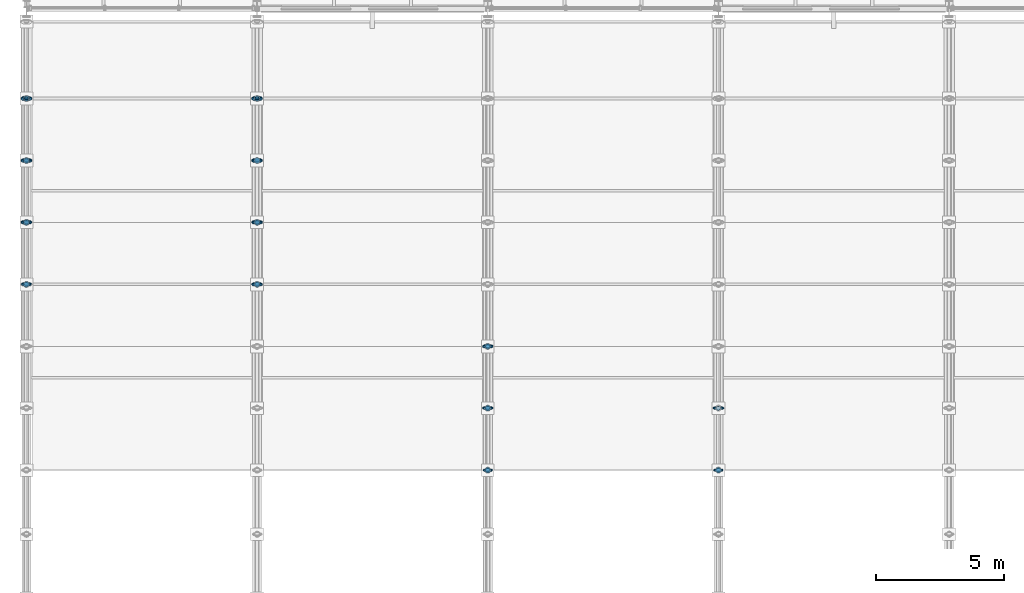
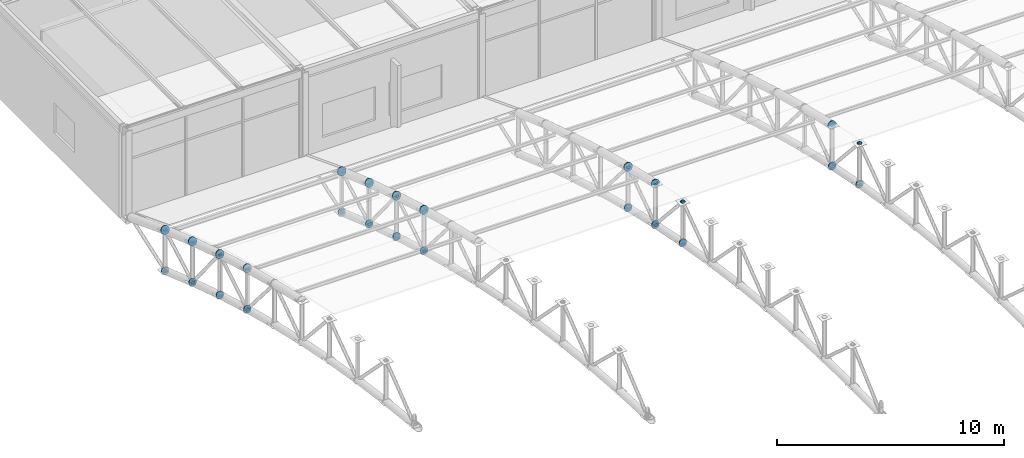
# One storey, part 131 of 195: 92 discrete accessories.
"""IFC4 building model written with IfcOpenShell, lengths in metres."""

from ifc_helpers import new_model, si_unit, direction, frame, origin, origin_2d, place, context, subcontext, project, spatial, circle, extrude, material, element, save


model = new_model("IFC4")

# Units and contexts
model_context = context("Model", 3, precision=1e-05, world=origin(), true_north=direction((0.0, 1.0)))
body_context = subcontext(model_context, "Body", "Model", "MODEL_VIEW")
ifc_project = project(units=[si_unit("LENGTHUNIT", "METRE"), si_unit("AREAUNIT", "SQUARE_METRE"), si_unit("VOLUMEUNIT", "CUBIC_METRE"), si_unit("PLANEANGLEUNIT", "RADIAN"), si_unit("MASSUNIT", "GRAM", prefix="KILO")], contexts=[model_context])

# Site, building, storey
site_placement = place(None, origin())
site = spatial("IfcSite", under=ifc_project, at=site_placement, CompositionType="ELEMENT")
building_placement = place(site_placement, origin())
building = spatial("IfcBuilding", under=site, at=building_placement, Name="Marlcrest Central Station", CompositionType="ELEMENT")
storey_placement = place(building_placement, frame((0.0, 0.0, 9.800048828125)))
storey = spatial("IfcBuildingStorey", under=building, at=storey_placement, Name="L02", CompositionType="ELEMENT", Elevation=9.800048828125)

# Discrete accessories
ifc_material = material(Name="Steel S355", Category="steel")
discrete_accessory_1_placement = place(storey_placement, frame((0.0, 88.225830078125, 1.734375), z_axis=(0.0, 0.967563345928, -0.252628524946), x_axis=(-1.0, 0.0, 0.0)))
element("IfcDiscreteAccessory", 1, at=discrete_accessory_1_placement, inside=storey, material=ifc_material, Name="endcap-mem-AC-02-L02-00144-e", ObjectType="END_CAP_PLATE", PredefinedType="BRACKET", context=body_context, shape_type="SweptSolid", body=[
    extrude(circle(Radius=0.185791015625, at=origin_2d()), origin(), (0.0, 0.0, 1.0), 0.0400390625),
])
discrete_accessory_2_placement = place(storey_placement, frame((0.0, 88.233642578125, 1.7470703125), z_axis=(0.0, 0.649624779144, -0.760254987699), x_axis=(-1.0, 0.0, 0.0)))
element("IfcDiscreteAccessory", 2, at=discrete_accessory_2_placement, inside=storey, material=ifc_material, Name="endcap-mem-AD-01-L02-00146-e", ObjectType="END_CAP_PLATE", PredefinedType="BRACKET", context=body_context, shape_type="SweptSolid", body=[
    extrude(circle(Radius=0.092041015625, at=origin_2d()), origin(), (0.0, 0.0, 1.0), 0.0400390625),
])
for number, where, z_axis, x_axis, name in (
    (3, (0.0, 88.235595703125, 3.93212890625), (0.0, 0.960130083362, -0.27955361386), (-1.0, 0.0, 0.0), "endcap-mem-AC-01-L02-00147-s"),
    (4, (0.0, 90.64599609375, 3.23046875), (0.0, 0.960130083362, -0.27955361386), (-1.0, 0.0, 0.0), "endcap-mem-AC-01-L02-00147-e"),
):
    element("IfcDiscreteAccessory", number, at=place(storey_placement, frame(where, z_axis=z_axis, x_axis=x_axis)), inside=storey, material=ifc_material, Name=name, ObjectType="END_CAP_PLATE", PredefinedType="BRACKET", context=body_context, shape_type="SweptSolid", body=[
        extrude(circle(Radius=0.211181640625, at=origin_2d()), origin(), (0.0, 0.0, 1.0), 0.0400390625),
    ])
for number, where, z_axis, x_axis, name in (
    (5, (0.0, 88.235595703125, 1.732177734375), (0.0, 0.960130083362, -0.27955361386), (-1.0, 0.0, 0.0), "endcap-mem-AC-02-L02-00148-s"),
    (6, (0.0, 90.64599609375, 1.030517578125), (0.0, 0.960130083362, -0.27955361386), (-1.0, 0.0, 0.0), "endcap-mem-AC-02-L02-00148-e"),
):
    element("IfcDiscreteAccessory", number, at=place(storey_placement, frame(where, z_axis=z_axis, x_axis=x_axis)), inside=storey, material=ifc_material, Name=name, ObjectType="END_CAP_PLATE", PredefinedType="BRACKET", context=body_context, shape_type="SweptSolid", body=[
        extrude(circle(Radius=0.185791015625, at=origin_2d()), origin(), (0.0, 0.0, 1.0), 0.0400390625),
    ])
for number, where, z_axis, x_axis, name in (
    (7, (0.0, 88.25, 1.713134765625), (0.0, 0.0, 1.0), (1.0, 0.0, 0.0), "endcap-mem-AP-01-L02-00149-s"),
    (8, (0.0, 88.25, 3.903076171875), (0.0, 0.0, 1.0), (1.0, 0.0, 0.0), "endcap-mem-AP-01-L02-00149-e"),
):
    element("IfcDiscreteAccessory", number, at=place(storey_placement, frame(where, z_axis=z_axis, x_axis=x_axis)), inside=storey, material=ifc_material, Name=name, ObjectType="END_CAP_PLATE", PredefinedType="BRACKET", context=body_context, shape_type="SweptSolid", body=[
        extrude(circle(Radius=0.117431640625, at=origin_2d()), origin(), (0.0, 0.0, 1.0), 0.0400390625),
    ])
for number, where, z_axis, x_axis, name in (
    (9, (0.0, 88.2373046875, 1.72021484375), (0.0, 0.850687380038, 0.525671933286), (-1.0, 0.0, 0.0), "endcap-mem-AD-01-L02-00150-s"),
    (10, (0.0, 90.648681640625, 3.210205078125), (0.0, 0.850687380038, 0.525671933286), (-1.0, 0.0, 0.0), "endcap-mem-AD-01-L02-00150-e"),
):
    element("IfcDiscreteAccessory", number, at=place(storey_placement, frame(where, z_axis=z_axis, x_axis=x_axis)), inside=storey, material=ifc_material, Name=name, ObjectType="END_CAP_PLATE", PredefinedType="BRACKET", context=body_context, shape_type="SweptSolid", body=[
        extrude(circle(Radius=0.092041015625, at=origin_2d()), origin(), (0.0, 0.0, 1.0), 0.0400390625),
    ])
for number, where, z_axis, x_axis, name in (
    (11, (0.0, 90.65576171875, 3.22802734375), (0.0, 0.952116828449, -0.305734435391), (-1.0, 0.0, 0.0), "endcap-mem-AC-01-L02-00151-s"),
    (12, (0.0, 93.056396484375, 2.45703125), (0.0, 0.952116828449, -0.305734435391), (-1.0, 0.0, 0.0), "endcap-mem-AC-01-L02-00151-e"),
):
    element("IfcDiscreteAccessory", number, at=place(storey_placement, frame(where, z_axis=z_axis, x_axis=x_axis)), inside=storey, material=ifc_material, Name=name, ObjectType="END_CAP_PLATE", PredefinedType="BRACKET", context=body_context, shape_type="SweptSolid", body=[
        extrude(circle(Radius=0.211181640625, at=origin_2d()), origin(), (0.0, 0.0, 1.0), 0.0400390625),
    ])
for number, where, z_axis, x_axis, name in (
    (13, (0.0, 90.65576171875, 1.028076171875), (0.0, 0.952116828449, -0.305734435391), (-1.0, 0.0, 0.0), "endcap-mem-AC-02-L02-00152-s"),
    (14, (0.0, 93.056396484375, 0.257080078125), (0.0, 0.952116828449, -0.305734435391), (-1.0, 0.0, 0.0), "endcap-mem-AC-02-L02-00152-e"),
):
    element("IfcDiscreteAccessory", number, at=place(storey_placement, frame(where, z_axis=z_axis, x_axis=x_axis)), inside=storey, material=ifc_material, Name=name, ObjectType="END_CAP_PLATE", PredefinedType="BRACKET", context=body_context, shape_type="SweptSolid", body=[
        extrude(circle(Radius=0.185791015625, at=origin_2d()), origin(), (0.0, 0.0, 1.0), 0.0400390625),
    ])
for number, where, z_axis, x_axis, name in (
    (15, (0.0, 90.669921875, 1.008544921875), (0.0, 0.0, 1.0), (1.0, 0.0, 0.0), "endcap-mem-AP-01-L02-00153-s"),
    (16, (0.0, 90.669921875, 3.198486328125), (0.0, 0.0, 1.0), (1.0, 0.0, 0.0), "endcap-mem-AP-01-L02-00153-e"),
):
    element("IfcDiscreteAccessory", number, at=place(storey_placement, frame(where, z_axis=z_axis, x_axis=x_axis)), inside=storey, material=ifc_material, Name=name, ObjectType="END_CAP_PLATE", PredefinedType="BRACKET", context=body_context, shape_type="SweptSolid", body=[
        extrude(circle(Radius=0.117431640625, at=origin_2d()), origin(), (0.0, 0.0, 1.0), 0.0400390625),
    ])
for number, where, z_axis, x_axis, name in (
    (17, (0.0, 90.660400390625, 3.235107421875), (0.0, 0.62962929743, -0.776895712318), (-1.0, 0.0, 0.0), "endcap-mem-AD-01-L02-00154-s"),
    (18, (0.0, 93.064453125, 0.26904296875), (0.0, 0.62962929743, -0.776895712318), (-1.0, 0.0, 0.0), "endcap-mem-AD-01-L02-00154-e"),
):
    element("IfcDiscreteAccessory", number, at=place(storey_placement, frame(where, z_axis=z_axis, x_axis=x_axis)), inside=storey, material=ifc_material, Name=name, ObjectType="END_CAP_PLATE", PredefinedType="BRACKET", context=body_context, shape_type="SweptSolid", body=[
        extrude(circle(Radius=0.092041015625, at=origin_2d()), origin(), (0.0, 0.0, 1.0), 0.0400390625),
    ])
for number, where, z_axis, x_axis, name in (
    (19, (0.0, 93.06591796875, 2.454345703125), (0.0, 0.94353735649, -0.331266142109), (-1.0, 0.0, 0.0), "endcap-mem-AC-01-L02-00155-s"),
    (20, (0.0, 95.476318359375, 1.608154296875), (0.0, 0.94353735649, -0.331266142109), (-1.0, 0.0, 0.0), "endcap-mem-AC-01-L02-00155-e"),
):
    element("IfcDiscreteAccessory", number, at=place(storey_placement, frame(where, z_axis=z_axis, x_axis=x_axis)), inside=storey, material=ifc_material, Name=name, ObjectType="END_CAP_PLATE", PredefinedType="BRACKET", context=body_context, shape_type="SweptSolid", body=[
        extrude(circle(Radius=0.211181640625, at=origin_2d()), origin(), (0.0, 0.0, 1.0), 0.0400390625),
    ])
for number, where, z_axis, x_axis, name in (
    (21, (0.0, 93.06591796875, 0.25439453125), (0.0, 0.94353735649, -0.331266142109), (-1.0, 0.0, 0.0), "endcap-mem-AC-02-L02-00156-s"),
    (22, (0.0, 95.476318359375, -0.591796875), (0.0, 0.94353735649, -0.331266142109), (-1.0, 0.0, 0.0), "endcap-mem-AC-02-L02-00156-e"),
):
    element("IfcDiscreteAccessory", number, at=place(storey_placement, frame(where, z_axis=z_axis, x_axis=x_axis)), inside=storey, material=ifc_material, Name=name, ObjectType="END_CAP_PLATE", PredefinedType="BRACKET", context=body_context, shape_type="SweptSolid", body=[
        extrude(circle(Radius=0.185791015625, at=origin_2d()), origin(), (0.0, 0.0, 1.0), 0.0400390625),
    ])
for number, where, z_axis, x_axis, name in (
    (23, (0.0, 93.080078125, 0.234619140625), (0.0, 0.0, 1.0), (1.0, 0.0, 0.0), "endcap-mem-AP-01-L02-00157-s"),
    (24, (0.0, 93.080078125, 2.424560546875), (0.0, 0.0, 1.0), (1.0, 0.0, 0.0), "endcap-mem-AP-01-L02-00157-e"),
):
    element("IfcDiscreteAccessory", number, at=place(storey_placement, frame(where, z_axis=z_axis, x_axis=x_axis)), inside=storey, material=ifc_material, Name=name, ObjectType="END_CAP_PLATE", PredefinedType="BRACKET", context=body_context, shape_type="SweptSolid", body=[
        extrude(circle(Radius=0.117431640625, at=origin_2d()), origin(), (0.0, 0.0, 1.0), 0.0400390625),
    ])
for number, where, z_axis, x_axis, name in (
    (25, (0.0, 93.06689453125, 0.2421875), (0.0, 0.873245653167, 0.487280236851), (-1.0, 0.0, 0.0), "endcap-mem-AD-01-L02-00158-s"),
    (26, (0.0, 95.478271484375, 1.587646484375), (0.0, 0.873245653167, 0.487280236851), (-1.0, 0.0, 0.0), "endcap-mem-AD-01-L02-00158-e"),
):
    element("IfcDiscreteAccessory", number, at=place(storey_placement, frame(where, z_axis=z_axis, x_axis=x_axis)), inside=storey, material=ifc_material, Name=name, ObjectType="END_CAP_PLATE", PredefinedType="BRACKET", context=body_context, shape_type="SweptSolid", body=[
        extrude(circle(Radius=0.092041015625, at=origin_2d()), origin(), (0.0, 0.0, 1.0), 0.0400390625),
    ])
discrete_accessory_3_placement = place(storey_placement, frame((0.0, 95.486083984375, 1.605224609375), z_axis=(0.0, 0.933324071143, -0.359035065453), x_axis=(-1.0, 0.0, 0.0)))
element("IfcDiscreteAccessory", 27, at=discrete_accessory_3_placement, inside=storey, material=ifc_material, Name="endcap-mem-AC-01-L02-00159-s", ObjectType="END_CAP_PLATE", PredefinedType="BRACKET", context=body_context, shape_type="SweptSolid", body=[
    extrude(circle(Radius=0.211181640625, at=origin_2d()), origin(), (0.0, 0.0, 1.0), 0.0400390625),
])
for number, where, z_axis, x_axis, name in (
    (28, (0.0, 95.5, -0.614990234375), (0.0, 0.0, 1.0), (1.0, 0.0, 0.0), "endcap-mem-AP-01-L02-00160-s"),
    (29, (0.0, 95.5, 1.574951171875), (0.0, 0.0, 1.0), (1.0, 0.0, 0.0), "endcap-mem-AP-01-L02-00160-e"),
):
    element("IfcDiscreteAccessory", number, at=place(storey_placement, frame(where, z_axis=z_axis, x_axis=x_axis)), inside=storey, material=ifc_material, Name=name, ObjectType="END_CAP_PLATE", PredefinedType="BRACKET", context=body_context, shape_type="SweptSolid", body=[
        extrude(circle(Radius=0.117431640625, at=origin_2d()), origin(), (0.0, 0.0, 1.0), 0.0400390625),
    ])
discrete_accessory_4_placement = place(storey_placement, frame((0.0, 95.48583984375, -0.60498046875), z_axis=(0.0, 0.944260188635, 0.329200085296), x_axis=(-1.0, 0.0, 0.0)))
element("IfcDiscreteAccessory", 30, at=discrete_accessory_4_placement, inside=storey, material=ifc_material, Name="endcap-mem-AD-01-L02-00161-s", ObjectType="END_CAP_PLATE", PredefinedType="BRACKET", context=body_context, shape_type="SweptSolid", body=[
    extrude(circle(Radius=0.092041015625, at=origin_2d()), origin(), (0.0, 0.0, 1.0), 0.0400390625),
])
discrete_accessory_5_placement = place(storey_placement, frame((9.0, 88.225830078125, 3.934326171875), z_axis=(0.0, 0.967539481681, -0.252719906989), x_axis=(-1.0, 0.0, 0.0)))
element("IfcDiscreteAccessory", 31, at=discrete_accessory_5_placement, inside=storey, material=ifc_material, Name="endcap-mem-AC-01-L02-00259-e", ObjectType="END_CAP_PLATE", PredefinedType="BRACKET", context=body_context, shape_type="SweptSolid", body=[
    extrude(circle(Radius=0.211181640625, at=origin_2d()), origin(), (0.0, 0.0, 1.0), 0.0400390625),
])
discrete_accessory_6_placement = place(storey_placement, frame((9.0, 88.225830078125, 1.734375), z_axis=(0.0, 0.967563345928, -0.252628524946), x_axis=(-1.0, 0.0, 0.0)))
element("IfcDiscreteAccessory", 32, at=discrete_accessory_6_placement, inside=storey, material=ifc_material, Name="endcap-mem-AC-02-L02-00260-e", ObjectType="END_CAP_PLATE", PredefinedType="BRACKET", context=body_context, shape_type="SweptSolid", body=[
    extrude(circle(Radius=0.185791015625, at=origin_2d()), origin(), (0.0, 0.0, 1.0), 0.0400390625),
])
discrete_accessory_7_placement = place(storey_placement, frame((9.0, 88.233642578125, 1.7470703125), z_axis=(0.0, 0.649624779144, -0.760254987699), x_axis=(-1.0, 0.0, 0.0)))
element("IfcDiscreteAccessory", 33, at=discrete_accessory_7_placement, inside=storey, material=ifc_material, Name="endcap-mem-AD-01-L02-00262-e", ObjectType="END_CAP_PLATE", PredefinedType="BRACKET", context=body_context, shape_type="SweptSolid", body=[
    extrude(circle(Radius=0.092041015625, at=origin_2d()), origin(), (0.0, 0.0, 1.0), 0.0400390625),
])
for number, where, z_axis, x_axis, name in (
    (34, (9.0, 88.235595703125, 3.93212890625), (0.0, 0.960130083362, -0.27955361386), (-1.0, 0.0, 0.0), "endcap-mem-AC-01-L02-00263-s"),
    (35, (9.0, 90.64599609375, 3.23046875), (0.0, 0.960130083362, -0.27955361386), (-1.0, 0.0, 0.0), "endcap-mem-AC-01-L02-00263-e"),
):
    element("IfcDiscreteAccessory", number, at=place(storey_placement, frame(where, z_axis=z_axis, x_axis=x_axis)), inside=storey, material=ifc_material, Name=name, ObjectType="END_CAP_PLATE", PredefinedType="BRACKET", context=body_context, shape_type="SweptSolid", body=[
        extrude(circle(Radius=0.211181640625, at=origin_2d()), origin(), (0.0, 0.0, 1.0), 0.0400390625),
    ])
for number, where, z_axis, x_axis, name in (
    (36, (9.0, 88.235595703125, 1.732177734375), (0.0, 0.960130083362, -0.27955361386), (-1.0, 0.0, 0.0), "endcap-mem-AC-02-L02-00264-s"),
    (37, (9.0, 90.64599609375, 1.030517578125), (0.0, 0.960130083362, -0.27955361386), (-1.0, 0.0, 0.0), "endcap-mem-AC-02-L02-00264-e"),
):
    element("IfcDiscreteAccessory", number, at=place(storey_placement, frame(where, z_axis=z_axis, x_axis=x_axis)), inside=storey, material=ifc_material, Name=name, ObjectType="END_CAP_PLATE", PredefinedType="BRACKET", context=body_context, shape_type="SweptSolid", body=[
        extrude(circle(Radius=0.185791015625, at=origin_2d()), origin(), (0.0, 0.0, 1.0), 0.0400390625),
    ])
for number, where, z_axis, x_axis, name in (
    (38, (9.0, 88.25, 1.713134765625), (0.0, 0.0, 1.0), (1.0, 0.0, 0.0), "endcap-mem-AP-01-L02-00265-s"),
    (39, (9.0, 88.25, 3.903076171875), (0.0, 0.0, 1.0), (1.0, 0.0, 0.0), "endcap-mem-AP-01-L02-00265-e"),
):
    element("IfcDiscreteAccessory", number, at=place(storey_placement, frame(where, z_axis=z_axis, x_axis=x_axis)), inside=storey, material=ifc_material, Name=name, ObjectType="END_CAP_PLATE", PredefinedType="BRACKET", context=body_context, shape_type="SweptSolid", body=[
        extrude(circle(Radius=0.117431640625, at=origin_2d()), origin(), (0.0, 0.0, 1.0), 0.0400390625),
    ])
for number, where, z_axis, x_axis, name in (
    (40, (9.0, 88.2373046875, 1.72021484375), (0.0, 0.850687380038, 0.525671933286), (-1.0, 0.0, 0.0), "endcap-mem-AD-01-L02-00266-s"),
    (41, (9.0, 90.648681640625, 3.210205078125), (0.0, 0.850687380038, 0.525671933286), (-1.0, 0.0, 0.0), "endcap-mem-AD-01-L02-00266-e"),
):
    element("IfcDiscreteAccessory", number, at=place(storey_placement, frame(where, z_axis=z_axis, x_axis=x_axis)), inside=storey, material=ifc_material, Name=name, ObjectType="END_CAP_PLATE", PredefinedType="BRACKET", context=body_context, shape_type="SweptSolid", body=[
        extrude(circle(Radius=0.092041015625, at=origin_2d()), origin(), (0.0, 0.0, 1.0), 0.0400390625),
    ])
for number, where, z_axis, x_axis, name in (
    (42, (9.0, 90.65576171875, 3.22802734375), (0.0, 0.952116828449, -0.305734435391), (-1.0, 0.0, 0.0), "endcap-mem-AC-01-L02-00267-s"),
    (43, (9.0, 93.056396484375, 2.45703125), (0.0, 0.952116828449, -0.305734435391), (-1.0, 0.0, 0.0), "endcap-mem-AC-01-L02-00267-e"),
):
    element("IfcDiscreteAccessory", number, at=place(storey_placement, frame(where, z_axis=z_axis, x_axis=x_axis)), inside=storey, material=ifc_material, Name=name, ObjectType="END_CAP_PLATE", PredefinedType="BRACKET", context=body_context, shape_type="SweptSolid", body=[
        extrude(circle(Radius=0.211181640625, at=origin_2d()), origin(), (0.0, 0.0, 1.0), 0.0400390625),
    ])
for number, where, z_axis, x_axis, name in (
    (44, (9.0, 90.65576171875, 1.028076171875), (0.0, 0.952116828449, -0.305734435391), (-1.0, 0.0, 0.0), "endcap-mem-AC-02-L02-00268-s"),
    (45, (9.0, 93.056396484375, 0.257080078125), (0.0, 0.952116828449, -0.305734435391), (-1.0, 0.0, 0.0), "endcap-mem-AC-02-L02-00268-e"),
):
    element("IfcDiscreteAccessory", number, at=place(storey_placement, frame(where, z_axis=z_axis, x_axis=x_axis)), inside=storey, material=ifc_material, Name=name, ObjectType="END_CAP_PLATE", PredefinedType="BRACKET", context=body_context, shape_type="SweptSolid", body=[
        extrude(circle(Radius=0.185791015625, at=origin_2d()), origin(), (0.0, 0.0, 1.0), 0.0400390625),
    ])
for number, where, z_axis, x_axis, name in (
    (46, (9.0, 90.669921875, 1.008544921875), (0.0, 0.0, 1.0), (1.0, 0.0, 0.0), "endcap-mem-AP-01-L02-00269-s"),
    (47, (9.0, 90.669921875, 3.198486328125), (0.0, 0.0, 1.0), (1.0, 0.0, 0.0), "endcap-mem-AP-01-L02-00269-e"),
):
    element("IfcDiscreteAccessory", number, at=place(storey_placement, frame(where, z_axis=z_axis, x_axis=x_axis)), inside=storey, material=ifc_material, Name=name, ObjectType="END_CAP_PLATE", PredefinedType="BRACKET", context=body_context, shape_type="SweptSolid", body=[
        extrude(circle(Radius=0.117431640625, at=origin_2d()), origin(), (0.0, 0.0, 1.0), 0.0400390625),
    ])
for number, where, z_axis, x_axis, name in (
    (48, (9.0, 90.660400390625, 3.235107421875), (0.0, 0.62962929743, -0.776895712318), (-1.0, 0.0, 0.0), "endcap-mem-AD-01-L02-00270-s"),
    (49, (9.0, 93.064453125, 0.26904296875), (0.0, 0.62962929743, -0.776895712318), (-1.0, 0.0, 0.0), "endcap-mem-AD-01-L02-00270-e"),
):
    element("IfcDiscreteAccessory", number, at=place(storey_placement, frame(where, z_axis=z_axis, x_axis=x_axis)), inside=storey, material=ifc_material, Name=name, ObjectType="END_CAP_PLATE", PredefinedType="BRACKET", context=body_context, shape_type="SweptSolid", body=[
        extrude(circle(Radius=0.092041015625, at=origin_2d()), origin(), (0.0, 0.0, 1.0), 0.0400390625),
    ])
for number, where, z_axis, x_axis, name in (
    (50, (9.0, 93.06591796875, 2.454345703125), (0.0, 0.94353735649, -0.331266142109), (-1.0, 0.0, 0.0), "endcap-mem-AC-01-L02-00271-s"),
    (51, (9.0, 95.476318359375, 1.608154296875), (0.0, 0.94353735649, -0.331266142109), (-1.0, 0.0, 0.0), "endcap-mem-AC-01-L02-00271-e"),
):
    element("IfcDiscreteAccessory", number, at=place(storey_placement, frame(where, z_axis=z_axis, x_axis=x_axis)), inside=storey, material=ifc_material, Name=name, ObjectType="END_CAP_PLATE", PredefinedType="BRACKET", context=body_context, shape_type="SweptSolid", body=[
        extrude(circle(Radius=0.211181640625, at=origin_2d()), origin(), (0.0, 0.0, 1.0), 0.0400390625),
    ])
for number, where, z_axis, x_axis, name in (
    (52, (9.0, 93.06591796875, 0.25439453125), (0.0, 0.94353735649, -0.331266142109), (-1.0, 0.0, 0.0), "endcap-mem-AC-02-L02-00272-s"),
    (53, (9.0, 95.476318359375, -0.591796875), (0.0, 0.94353735649, -0.331266142109), (-1.0, 0.0, 0.0), "endcap-mem-AC-02-L02-00272-e"),
):
    element("IfcDiscreteAccessory", number, at=place(storey_placement, frame(where, z_axis=z_axis, x_axis=x_axis)), inside=storey, material=ifc_material, Name=name, ObjectType="END_CAP_PLATE", PredefinedType="BRACKET", context=body_context, shape_type="SweptSolid", body=[
        extrude(circle(Radius=0.185791015625, at=origin_2d()), origin(), (0.0, 0.0, 1.0), 0.0400390625),
    ])
for number, where, z_axis, x_axis, name in (
    (54, (9.0, 93.080078125, 0.234619140625), (0.0, 0.0, 1.0), (1.0, 0.0, 0.0), "endcap-mem-AP-01-L02-00273-s"),
    (55, (9.0, 93.080078125, 2.424560546875), (0.0, 0.0, 1.0), (1.0, 0.0, 0.0), "endcap-mem-AP-01-L02-00273-e"),
):
    element("IfcDiscreteAccessory", number, at=place(storey_placement, frame(where, z_axis=z_axis, x_axis=x_axis)), inside=storey, material=ifc_material, Name=name, ObjectType="END_CAP_PLATE", PredefinedType="BRACKET", context=body_context, shape_type="SweptSolid", body=[
        extrude(circle(Radius=0.117431640625, at=origin_2d()), origin(), (0.0, 0.0, 1.0), 0.0400390625),
    ])
for number, where, z_axis, x_axis, name in (
    (56, (9.0, 93.06689453125, 0.2421875), (0.0, 0.873245653167, 0.487280236851), (-1.0, 0.0, 0.0), "endcap-mem-AD-01-L02-00274-s"),
    (57, (9.0, 95.478271484375, 1.587646484375), (0.0, 0.873245653167, 0.487280236851), (-1.0, 0.0, 0.0), "endcap-mem-AD-01-L02-00274-e"),
):
    element("IfcDiscreteAccessory", number, at=place(storey_placement, frame(where, z_axis=z_axis, x_axis=x_axis)), inside=storey, material=ifc_material, Name=name, ObjectType="END_CAP_PLATE", PredefinedType="BRACKET", context=body_context, shape_type="SweptSolid", body=[
        extrude(circle(Radius=0.092041015625, at=origin_2d()), origin(), (0.0, 0.0, 1.0), 0.0400390625),
    ])
discrete_accessory_8_placement = place(storey_placement, frame((9.0, 95.486083984375, 1.605224609375), z_axis=(0.0, 0.933324071143, -0.359035065453), x_axis=(-1.0, 0.0, 0.0)))
element("IfcDiscreteAccessory", 58, at=discrete_accessory_8_placement, inside=storey, material=ifc_material, Name="endcap-mem-AC-01-L02-00275-s", ObjectType="END_CAP_PLATE", PredefinedType="BRACKET", context=body_context, shape_type="SweptSolid", body=[
    extrude(circle(Radius=0.211181640625, at=origin_2d()), origin(), (0.0, 0.0, 1.0), 0.0400390625),
])
for number, where, z_axis, x_axis, name in (
    (59, (9.0, 95.5, -0.614990234375), (0.0, 0.0, 1.0), (1.0, 0.0, 0.0), "endcap-mem-AP-01-L02-00276-s"),
    (60, (9.0, 95.5, 1.574951171875), (0.0, 0.0, 1.0), (1.0, 0.0, 0.0), "endcap-mem-AP-01-L02-00276-e"),
):
    element("IfcDiscreteAccessory", number, at=place(storey_placement, frame(where, z_axis=z_axis, x_axis=x_axis)), inside=storey, material=ifc_material, Name=name, ObjectType="END_CAP_PLATE", PredefinedType="BRACKET", context=body_context, shape_type="SweptSolid", body=[
        extrude(circle(Radius=0.117431640625, at=origin_2d()), origin(), (0.0, 0.0, 1.0), 0.0400390625),
    ])
discrete_accessory_9_placement = place(storey_placement, frame((9.0, 95.48583984375, -0.60498046875), z_axis=(0.0, 0.944260188635, 0.329200085296), x_axis=(-1.0, 0.0, 0.0)))
element("IfcDiscreteAccessory", 61, at=discrete_accessory_9_placement, inside=storey, material=ifc_material, Name="endcap-mem-AD-01-L02-00277-s", ObjectType="END_CAP_PLATE", PredefinedType="BRACKET", context=body_context, shape_type="SweptSolid", body=[
    extrude(circle(Radius=0.092041015625, at=origin_2d()), origin(), (0.0, 0.0, 1.0), 0.0400390625),
])
discrete_accessory_10_placement = place(storey_placement, frame((18.0, 80.975341796875, 3.407958984375), z_axis=(0.0, 0.98574109921, -0.168269086076), x_axis=(-1.0, 0.0, 0.0)))
element("IfcDiscreteAccessory", 62, at=discrete_accessory_10_placement, inside=storey, material=ifc_material, Name="endcap-mem-AC-02-L02-00364-e", ObjectType="END_CAP_PLATE", PredefinedType="BRACKET", context=body_context, shape_type="SweptSolid", body=[
    extrude(circle(Radius=0.185791015625, at=origin_2d()), origin(), (0.0, 0.0, 1.0), 0.0400390625),
])
discrete_accessory_11_placement = place(storey_placement, frame((18.0, 80.9794921875, 5.58935546875), z_axis=(0.0, 0.815661132754, 0.57852996164), x_axis=(-1.0, 0.0, 0.0)))
element("IfcDiscreteAccessory", 63, at=discrete_accessory_11_placement, inside=storey, material=ifc_material, Name="endcap-mem-AD-01-L02-00366-e", ObjectType="END_CAP_PLATE", PredefinedType="BRACKET", context=body_context, shape_type="SweptSolid", body=[
    extrude(circle(Radius=0.092041015625, at=origin_2d()), origin(), (0.0, 0.0, 1.0), 0.0400390625),
])
for number, where, z_axis, x_axis, name in (
    (64, (18.0, 80.9853515625, 3.40673828125), (0.0, 0.980359417961, -0.197219196874), (-1.0, 0.0, 0.0), "endcap-mem-AC-02-L02-00368-s"),
    (65, (18.0, 83.3955078125, 2.921875), (0.0, 0.980359417961, -0.197219196874), (-1.0, 0.0, 0.0), "endcap-mem-AC-02-L02-00368-e"),
):
    element("IfcDiscreteAccessory", number, at=place(storey_placement, frame(where, z_axis=z_axis, x_axis=x_axis)), inside=storey, material=ifc_material, Name=name, ObjectType="END_CAP_PLATE", PredefinedType="BRACKET", context=body_context, shape_type="SweptSolid", body=[
        extrude(circle(Radius=0.185791015625, at=origin_2d()), origin(), (0.0, 0.0, 1.0), 0.0400390625),
    ])
for number, where, z_axis, x_axis, name in (
    (66, (18.0, 81.0, 3.388916015625), (0.0, 0.0, 1.0), (1.0, 0.0, 0.0), "endcap-mem-AP-01-L02-00369-s"),
    (67, (18.0, 81.0, 5.578857421875), (0.0, 0.0, 1.0), (1.0, 0.0, 0.0), "endcap-mem-AP-01-L02-00369-e"),
):
    element("IfcDiscreteAccessory", number, at=place(storey_placement, frame(where, z_axis=z_axis, x_axis=x_axis)), inside=storey, material=ifc_material, Name=name, ObjectType="END_CAP_PLATE", PredefinedType="BRACKET", context=body_context, shape_type="SweptSolid", body=[
        extrude(circle(Radius=0.117431640625, at=origin_2d()), origin(), (0.0, 0.0, 1.0), 0.0400390625),
    ])
for number, where, z_axis, x_axis, name in (
    (68, (18.0, 80.989990234375, 5.614990234375), (0.0, 0.669244457479, -0.743042297675), (-1.0, 0.0, 0.0), "endcap-mem-AD-01-L02-00370-s"),
    (69, (18.0, 83.403076171875, 2.935546875), (0.0, 0.669244457479, -0.743042297675), (-1.0, 0.0, 0.0), "endcap-mem-AD-01-L02-00370-e"),
):
    element("IfcDiscreteAccessory", number, at=place(storey_placement, frame(where, z_axis=z_axis, x_axis=x_axis)), inside=storey, material=ifc_material, Name=name, ObjectType="END_CAP_PLATE", PredefinedType="BRACKET", context=body_context, shape_type="SweptSolid", body=[
        extrude(circle(Radius=0.092041015625, at=origin_2d()), origin(), (0.0, 0.0, 1.0), 0.0400390625),
    ])
for number, where, z_axis, x_axis, name in (
    (70, (18.0, 83.4052734375, 5.120361328125), (0.0, 0.974329612642, -0.225126200004), (-1.0, 0.0, 0.0), "endcap-mem-AC-01-L02-00371-s"),
    (71, (18.0, 85.8056640625, 4.565673828125), (0.0, 0.974329612642, -0.225126200004), (-1.0, 0.0, 0.0), "endcap-mem-AC-01-L02-00371-e"),
):
    element("IfcDiscreteAccessory", number, at=place(storey_placement, frame(where, z_axis=z_axis, x_axis=x_axis)), inside=storey, material=ifc_material, Name=name, ObjectType="END_CAP_PLATE", PredefinedType="BRACKET", context=body_context, shape_type="SweptSolid", body=[
        extrude(circle(Radius=0.211181640625, at=origin_2d()), origin(), (0.0, 0.0, 1.0), 0.0400390625),
    ])
for number, where, z_axis, x_axis, name in (
    (72, (18.0, 83.4052734375, 2.92041015625), (0.0, 0.974307959875, -0.225219891049), (-1.0, 0.0, 0.0), "endcap-mem-AC-02-L02-00372-s"),
    (73, (18.0, 85.8056640625, 2.365478515625), (0.0, 0.974307959875, -0.225219891049), (-1.0, 0.0, 0.0), "endcap-mem-AC-02-L02-00372-e"),
):
    element("IfcDiscreteAccessory", number, at=place(storey_placement, frame(where, z_axis=z_axis, x_axis=x_axis)), inside=storey, material=ifc_material, Name=name, ObjectType="END_CAP_PLATE", PredefinedType="BRACKET", context=body_context, shape_type="SweptSolid", body=[
        extrude(circle(Radius=0.185791015625, at=origin_2d()), origin(), (0.0, 0.0, 1.0), 0.0400390625),
    ])
for number, where, z_axis, x_axis, name in (
    (74, (18.0, 83.419921875, 2.902099609375), (0.0, 0.0, 1.0), (1.0, 0.0, 0.0), "endcap-mem-AP-01-L02-00373-s"),
    (75, (18.0, 83.419921875, 5.092041015625), (0.0, 0.0, 1.0), (1.0, 0.0, 0.0), "endcap-mem-AP-01-L02-00373-e"),
):
    element("IfcDiscreteAccessory", number, at=place(storey_placement, frame(where, z_axis=z_axis, x_axis=x_axis)), inside=storey, material=ifc_material, Name=name, ObjectType="END_CAP_PLATE", PredefinedType="BRACKET", context=body_context, shape_type="SweptSolid", body=[
        extrude(circle(Radius=0.117431640625, at=origin_2d()), origin(), (0.0, 0.0, 1.0), 0.0400390625),
    ])
for number, where, z_axis, x_axis, name in (
    (76, (18.0, 83.407470703125, 2.908447265625), (0.0, 0.82626275624, 0.563284881432), (-1.0, 0.0, 0.0), "endcap-mem-AD-01-L02-00374-s"),
    (77, (18.0, 85.809326171875, 4.5458984375), (0.0, 0.82626275624, 0.563284881432), (-1.0, 0.0, 0.0), "endcap-mem-AD-01-L02-00374-e"),
):
    element("IfcDiscreteAccessory", number, at=place(storey_placement, frame(where, z_axis=z_axis, x_axis=x_axis)), inside=storey, material=ifc_material, Name=name, ObjectType="END_CAP_PLATE", PredefinedType="BRACKET", context=body_context, shape_type="SweptSolid", body=[
        extrude(circle(Radius=0.092041015625, at=origin_2d()), origin(), (0.0, 0.0, 1.0), 0.0400390625),
    ])
discrete_accessory_12_placement = place(storey_placement, frame((18.0, 85.815673828125, 4.56396484375), z_axis=(0.0, 0.967539481681, -0.252719906989), x_axis=(-1.0, 0.0, 0.0)))
element("IfcDiscreteAccessory", 78, at=discrete_accessory_12_placement, inside=storey, material=ifc_material, Name="endcap-mem-AC-01-L02-00375-s", ObjectType="END_CAP_PLATE", PredefinedType="BRACKET", context=body_context, shape_type="SweptSolid", body=[
    extrude(circle(Radius=0.211181640625, at=origin_2d()), origin(), (0.0, 0.0, 1.0), 0.0400390625),
])
discrete_accessory_13_placement = place(storey_placement, frame((18.0, 85.815673828125, 2.36376953125), z_axis=(0.0, 0.967563345928, -0.252628524946), x_axis=(-1.0, 0.0, 0.0)))
element("IfcDiscreteAccessory", 79, at=discrete_accessory_13_placement, inside=storey, material=ifc_material, Name="endcap-mem-AC-02-L02-00376-s", ObjectType="END_CAP_PLATE", PredefinedType="BRACKET", context=body_context, shape_type="SweptSolid", body=[
    extrude(circle(Radius=0.185791015625, at=origin_2d()), origin(), (0.0, 0.0, 1.0), 0.0400390625),
])
for number, where, z_axis, x_axis, name in (
    (80, (18.0, 85.830078125, 2.344970703125), (0.0, 0.0, 1.0), (1.0, 0.0, 0.0), "endcap-mem-AP-01-L02-00377-s"),
    (81, (18.0, 85.830078125, 4.53515625), (0.0, 0.0, 1.0), (1.0, 0.0, 0.0), "endcap-mem-AP-01-L02-00377-e"),
):
    element("IfcDiscreteAccessory", number, at=place(storey_placement, frame(where, z_axis=z_axis, x_axis=x_axis)), inside=storey, material=ifc_material, Name=name, ObjectType="END_CAP_PLATE", PredefinedType="BRACKET", context=body_context, shape_type="SweptSolid", body=[
        extrude(circle(Radius=0.117431640625, at=origin_2d()), origin(), (0.0, 0.0, 1.0), 0.0400390625),
    ])
discrete_accessory_14_placement = place(storey_placement, frame((18.0, 85.8203125, 4.571533203125), z_axis=(0.0, 0.649624779144, -0.760254987699), x_axis=(-1.0, 0.0, 0.0)))
element("IfcDiscreteAccessory", 82, at=discrete_accessory_14_placement, inside=storey, material=ifc_material, Name="endcap-mem-AD-01-L02-00378-s", ObjectType="END_CAP_PLATE", PredefinedType="BRACKET", context=body_context, shape_type="SweptSolid", body=[
    extrude(circle(Radius=0.092041015625, at=origin_2d()), origin(), (0.0, 0.0, 1.0), 0.0400390625),
])
discrete_accessory_15_placement = place(storey_placement, frame((27.0, 80.975341796875, 3.407958984375), z_axis=(0.0, 0.98574109921, -0.168269086076), x_axis=(-1.0, 0.0, 0.0)))
element("IfcDiscreteAccessory", 83, at=discrete_accessory_15_placement, inside=storey, material=ifc_material, Name="endcap-mem-AC-02-L02-00480-e", ObjectType="END_CAP_PLATE", PredefinedType="BRACKET", context=body_context, shape_type="SweptSolid", body=[
    extrude(circle(Radius=0.185791015625, at=origin_2d()), origin(), (0.0, 0.0, 1.0), 0.0400390625),
])
discrete_accessory_16_placement = place(storey_placement, frame((27.0, 80.9794921875, 5.58935546875), z_axis=(0.0, 0.815661132754, 0.57852996164), x_axis=(-1.0, 0.0, 0.0)))
element("IfcDiscreteAccessory", 84, at=discrete_accessory_16_placement, inside=storey, material=ifc_material, Name="endcap-mem-AD-01-L02-00482-e", ObjectType="END_CAP_PLATE", PredefinedType="BRACKET", context=body_context, shape_type="SweptSolid", body=[
    extrude(circle(Radius=0.092041015625, at=origin_2d()), origin(), (0.0, 0.0, 1.0), 0.0400390625),
])
for number, where, z_axis, x_axis, name in (
    (85, (27.0, 80.9853515625, 3.40673828125), (0.0, 0.980359417961, -0.197219196874), (-1.0, 0.0, 0.0), "endcap-mem-AC-02-L02-00484-s"),
    (86, (27.0, 83.3955078125, 2.921875), (0.0, 0.980359417961, -0.197219196874), (-1.0, 0.0, 0.0), "endcap-mem-AC-02-L02-00484-e"),
):
    element("IfcDiscreteAccessory", number, at=place(storey_placement, frame(where, z_axis=z_axis, x_axis=x_axis)), inside=storey, material=ifc_material, Name=name, ObjectType="END_CAP_PLATE", PredefinedType="BRACKET", context=body_context, shape_type="SweptSolid", body=[
        extrude(circle(Radius=0.185791015625, at=origin_2d()), origin(), (0.0, 0.0, 1.0), 0.0400390625),
    ])
for number, where, z_axis, x_axis, name in (
    (87, (27.0, 81.0, 3.388916015625), (0.0, 0.0, 1.0), (1.0, 0.0, 0.0), "endcap-mem-AP-01-L02-00485-s"),
    (88, (27.0, 81.0, 5.578857421875), (0.0, 0.0, 1.0), (1.0, 0.0, 0.0), "endcap-mem-AP-01-L02-00485-e"),
):
    element("IfcDiscreteAccessory", number, at=place(storey_placement, frame(where, z_axis=z_axis, x_axis=x_axis)), inside=storey, material=ifc_material, Name=name, ObjectType="END_CAP_PLATE", PredefinedType="BRACKET", context=body_context, shape_type="SweptSolid", body=[
        extrude(circle(Radius=0.117431640625, at=origin_2d()), origin(), (0.0, 0.0, 1.0), 0.0400390625),
    ])
for number, where, z_axis, x_axis, name in (
    (89, (27.0, 80.989990234375, 5.614990234375), (0.0, 0.669244457479, -0.743042297675), (-1.0, 0.0, 0.0), "endcap-mem-AD-01-L02-00486-s"),
    (90, (27.0, 83.403076171875, 2.935546875), (0.0, 0.669244457479, -0.743042297675), (-1.0, 0.0, 0.0), "endcap-mem-AD-01-L02-00486-e"),
):
    element("IfcDiscreteAccessory", number, at=place(storey_placement, frame(where, z_axis=z_axis, x_axis=x_axis)), inside=storey, material=ifc_material, Name=name, ObjectType="END_CAP_PLATE", PredefinedType="BRACKET", context=body_context, shape_type="SweptSolid", body=[
        extrude(circle(Radius=0.092041015625, at=origin_2d()), origin(), (0.0, 0.0, 1.0), 0.0400390625),
    ])
discrete_accessory_17_placement = place(storey_placement, frame((27.0, 83.4052734375, 5.120361328125), z_axis=(0.0, 0.974329612642, -0.225126200004), x_axis=(-1.0, 0.0, 0.0)))
element("IfcDiscreteAccessory", 91, at=discrete_accessory_17_placement, inside=storey, material=ifc_material, Name="endcap-mem-AC-01-L02-00487-s", ObjectType="END_CAP_PLATE", PredefinedType="BRACKET", context=body_context, shape_type="SweptSolid", body=[
    extrude(circle(Radius=0.211181640625, at=origin_2d()), origin(), (0.0, 0.0, 1.0), 0.0400390625),
])
discrete_accessory_18_placement = place(storey_placement, frame((27.0, 83.4052734375, 2.92041015625), z_axis=(0.0, 0.974307959875, -0.225219891049), x_axis=(-1.0, 0.0, 0.0)))
element("IfcDiscreteAccessory", 92, at=discrete_accessory_18_placement, inside=storey, material=ifc_material, Name="endcap-mem-AC-02-L02-00488-s", ObjectType="END_CAP_PLATE", PredefinedType="BRACKET", context=body_context, shape_type="SweptSolid", body=[
    extrude(circle(Radius=0.185791015625, at=origin_2d()), origin(), (0.0, 0.0, 1.0), 0.0400390625),
])

save(model, "model.ifc")
